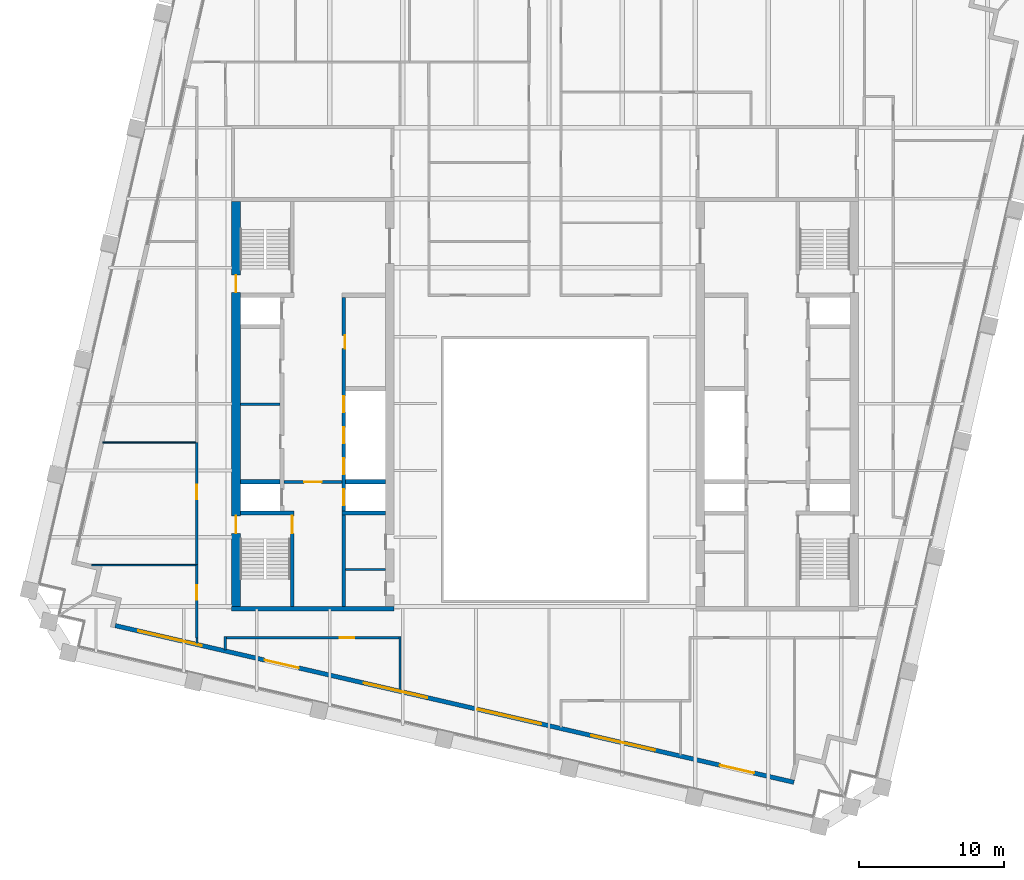
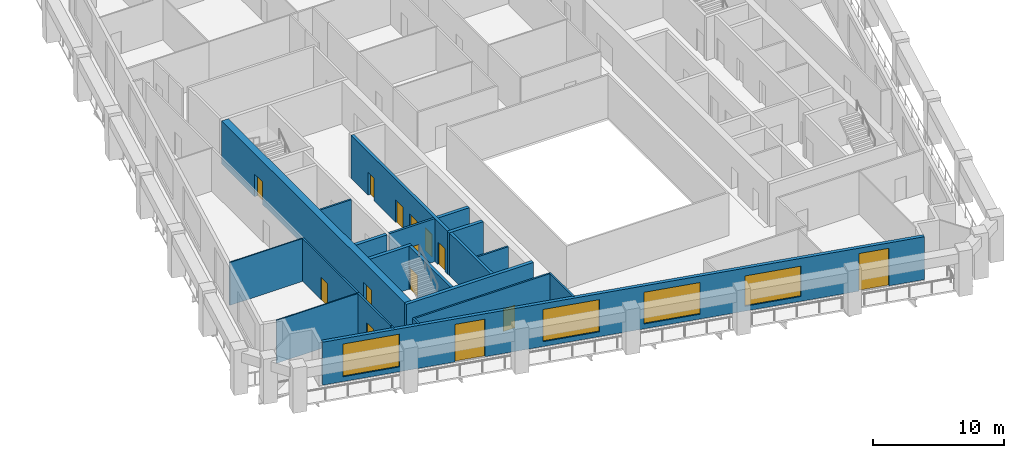
# One storey, part 4 of 10: 20 walls, 14 doors, 4 windows, 18 openings.
"""IFC4 building model written with IfcOpenShell, lengths in metres."""

from ifc_helpers import new_model, si_unit, direction, frame, frame_2d, origin, place, context, subcontext, project, spatial, rectangle, extrude, material, layer, layer_set, type_object, element, fill, save


model = new_model("IFC4")

# Units and contexts
model_context = context("Model", 3, precision=1e-05, world=origin(), true_north=direction((0.0, 1.0)))
body_context = subcontext(model_context, "Body", "Model", "MODEL_VIEW")
ifc_project = project(units=[si_unit("LENGTHUNIT", "METRE"), si_unit("AREAUNIT", "SQUARE_METRE"), si_unit("VOLUMEUNIT", "CUBIC_METRE"), si_unit("PLANEANGLEUNIT", "RADIAN"), si_unit("MASSUNIT", "GRAM", prefix="KILO")], contexts=[model_context])

# Site, building, storey
site_placement = place(None, origin())
site = spatial("IfcSite", under=ifc_project, at=site_placement, CompositionType="ELEMENT")
building_placement = place(site_placement, origin())
building = spatial("IfcBuilding", under=site, at=building_placement, Name="Ogive Exchange Tower", CompositionType="ELEMENT")
storey_placement = place(building_placement, frame((0.0, 0.0, 264.0)))
storey = spatial("IfcBuildingStorey", under=building, at=storey_placement, Name="L57", CompositionType="ELEMENT", Elevation=264.0)

# Walls
ifc_material_1 = material(Name="Gypsum board partition")
ifc_layer_1 = layer(ifc_material_1, 0.14990234375)
ifc_layer_set_1 = layer_set([ifc_layer_1], Name="Core room partition 150 gypsum")
wall_type_1 = type_object("IfcWallType", Name="Core room partition 150 gypsum", PredefinedType="PARTITIONING", material=ifc_layer_set_1)
for number, where, z_axis, x_axis, name in (
    (1, (-21.0, 11.5, 0.0), (0.0, 0.0, 1.0), (1.0, 0.0, 0.0), "W row A bay partition 1-1"),
    (2, (-13.75, 0.10009765625, 0.0), (0.0, 0.0, 1.0), (1.0, 0.0, 0.0), "W south room partition"),
):
    element("IfcWall", number, at=place(storey_placement, frame(where, z_axis=z_axis, x_axis=x_axis)), inside=storey, type_object=wall_type_1, Name=name, PredefinedType="PARTITIONING", context=body_context, shape_type="SweptSolid", body=[
        extrude(rectangle(XDim=2.75, YDim=0.14990234375, at=frame_2d((1.375, 0.0))), origin(), (0.0, 0.0, 1.0), 4.0),
    ])

# Wall, opening, door
ifc_material_2 = material(Name="Fire partition EI 60 150")
ifc_layer_2 = layer(ifc_material_2, 0.14990234375)
ifc_layer_set_2 = layer_set([ifc_layer_2], Name="Fire partition EI 60 150")
wall_type_2 = type_object("IfcWallType", Name="Fire partition EI 60 150", PredefinedType="PARTITIONING", material=ifc_layer_set_2)
wall_1_placement = place(storey_placement, frame((-24.0, -4.60009765625, 0.0), z_axis=(0.0, 0.0, 1.0), x_axis=(0.0, 1.0, 0.0)))
wall_1 = element("IfcWall", 3, at=wall_1_placement, inside=storey, type_object=wall_type_2, Name="L57-PWL-003", PredefinedType="PARTITIONING", context=body_context, shape_type="SweptSolid", body=[
    extrude(rectangle(XDim=5.06005859375, YDim=0.14990234375, at=frame_2d((2.530029296875, 0.0))), origin(), (0.0, 0.0, 1.0), 4.0),
])
opening_1_placement = place(wall_1_placement, frame((2.610107421875, 0.0, 0.0)))
opening_1 = element("IfcOpeningElement", 4, at=opening_1_placement, cuts=wall_1, Name="Opening L57-I15", PredefinedType="OPENING", context=body_context, shape_type="SweptSolid", body=[
    extrude(rectangle(XDim=1.0, YDim=2.10009765625, at=frame_2d((0.5, 1.050048828125))), frame((0.0, 0.0849609375, 0.0), z_axis=(0.0, -1.0, 0.0), x_axis=(1.0, 0.0, 0.0)), (0.0, 0.0, 1.0), 0.169921875),
])
ifc_material_3 = material(Name="Fire door FD 30S 1000 x 2100")
door_type_1 = type_object("IfcDoorType", Name="Fire door FD 30S 1000 x 2100", OperationType="NOTDEFINED", PredefinedType="DOOR", material=ifc_material_3)
door_1_placement = place(opening_1_placement, origin())
door_1 = element("IfcDoor", 5, at=door_1_placement, inside=storey, type_object=door_type_1, Name="L57-IDR-015", ObjectType="DT3", OperationType="SINGLE_SWING_LEFT", OverallHeight=2.10009765625, OverallWidth=1.0, PredefinedType="DOOR", context=body_context, shape_type="SweptSolid", body=[
    extrude(rectangle(XDim=1.0, YDim=2.10009765625, at=frame_2d((0.5, 1.050048828125))), frame((0.0, 0.02490234375, 0.0), z_axis=(0.0, -1.0, 0.0), x_axis=(1.0, 0.0, 0.0)), (0.0, 0.0, 1.0), 0.050048828125),
])
fill(opening_1, door_1)

wall_2_placement = place(storey_placement, frame((-24.0, 0.409912109375, 0.0), z_axis=(0.0, 0.0, 1.0), x_axis=(0.0, 1.0, 0.0)))
wall_2 = element("IfcWall", 6, at=wall_2_placement, inside=storey, type_object=wall_type_2, Name="L57-PWL-005", PredefinedType="PARTITIONING", context=body_context, shape_type="SweptSolid", body=[
    extrude(rectangle(XDim=8.4501953125, YDim=0.14990234375, at=frame_2d((4.22509765625, 0.0))), origin(), (0.0, 0.0, 1.0), 4.0),
])
opening_2_placement = place(wall_2_placement, frame((4.550048828125, 0.0, 0.0)))
opening_2 = element("IfcOpeningElement", 7, at=opening_2_placement, cuts=wall_2, Name="Opening L57-I14", PredefinedType="OPENING", context=body_context, shape_type="SweptSolid", body=[
    extrude(rectangle(XDim=1.0, YDim=2.10009765625, at=frame_2d((0.5, 1.050048828125))), frame((0.0, 0.0849609375, 0.0), z_axis=(0.0, -1.0, 0.0), x_axis=(1.0, 0.0, 0.0)), (0.0, 0.0, 1.0), 0.169921875),
])
door_2_placement = place(opening_2_placement, origin())
door_2 = element("IfcDoor", 8, at=door_2_placement, inside=storey, type_object=door_type_1, Name="L57-IDR-014", ObjectType="DT3", OperationType="SINGLE_SWING_LEFT", OverallHeight=2.10009765625, OverallWidth=1.0, PredefinedType="DOOR", context=body_context, shape_type="SweptSolid", body=[
    extrude(rectangle(XDim=1.0, YDim=2.10009765625, at=frame_2d((0.5, 1.050048828125))), frame((0.0, 0.02490234375, 0.0), z_axis=(0.0, -1.0, 0.0), x_axis=(1.0, 0.0, 0.0)), (0.0, 0.0, 1.0), 0.050048828125),
])
fill(opening_2, door_2)

# Walls
wall_3_placement = place(storey_placement, frame((-23.989990234375, -4.986083984375, 0.0), z_axis=(0.0, 0.0, 1.0), x_axis=(0.0, 1.0, 0.0)))
element("IfcWall", 9, at=wall_3_placement, inside=storey, type_object=wall_type_2, Name="L57-PWL-009", PredefinedType="PARTITIONING", context=body_context, shape_type="SweptSolid", body=[
    extrude(rectangle(XDim=0.385986328125, YDim=0.14990234375, at=frame_2d((0.19287109375, 0.0))), origin(), (0.0, 0.0, 1.0), 4.0),
])
wall_4_placement = place(storey_placement, frame((-22.030029296875, -4.52490234375, 0.0), z_axis=(0.0, 0.0, 1.0), x_axis=(0.0, -1.0, 0.0)))
element("IfcWall", 10, at=wall_4_placement, inside=storey, type_object=wall_type_2, Name="L57-PWL-013", PredefinedType="PARTITIONING", context=body_context, shape_type="SweptSolid", body=[
    extrude(rectangle(XDim=0.9130859375, YDim=0.14990234375, at=frame_2d((0.45654296875, 0.0))), origin(), (0.0, 0.0, 1.0), 4.0),
])
wall_5_placement = place(storey_placement, frame((-10.0, -8.216064453125, 0.0), z_axis=(0.0, 0.0, 1.0), x_axis=(0.0, 1.0, 0.0)))
element("IfcWall", 11, at=wall_5_placement, inside=storey, type_object=wall_type_2, Name="L57-PWL-022", PredefinedType="PARTITIONING", context=body_context, shape_type="SweptSolid", body=[
    extrude(rectangle(XDim=3.691162109375, YDim=0.14990234375, at=frame_2d((1.845703125, 0.0))), origin(), (0.0, 0.0, 1.0), 4.0),
])

# Wall, opening, door
wall_6_placement = place(storey_placement, frame((-10.074951171875, -4.60009765625, 0.0), z_axis=(0.0, 0.0, 1.0), x_axis=(-1.0, 0.0, 0.0)))
wall_6 = element("IfcWall", 12, at=wall_6_placement, inside=storey, type_object=wall_type_2, Name="L57-PWL-023", PredefinedType="PARTITIONING", context=body_context, shape_type="SweptSolid", body=[
    extrude(rectangle(XDim=11.880126953125, YDim=0.14990234375, at=frame_2d((5.93994140625, 0.0))), origin(), (0.0, 0.0, 1.0), 4.0),
])
opening_3_placement = place(wall_6_placement, frame((3.054931640625, 0.0, 0.0)))
opening_3 = element("IfcOpeningElement", 13, at=opening_3_placement, cuts=wall_6, Name="Opening L57-I13", PredefinedType="OPENING", context=body_context, shape_type="SweptSolid", body=[
    extrude(rectangle(XDim=1.0, YDim=2.10009765625, at=frame_2d((0.5, 1.050048828125))), frame((0.0, 0.0849609375, 0.0), z_axis=(0.0, -1.0, 0.0), x_axis=(1.0, 0.0, 0.0)), (0.0, 0.0, 1.0), 0.169921875),
])
door_3_placement = place(opening_3_placement, origin())
door_3 = element("IfcDoor", 14, at=door_3_placement, inside=storey, type_object=door_type_1, Name="L57-IDR-013", ObjectType="DT3", OperationType="SINGLE_SWING_RIGHT", OverallHeight=2.10009765625, OverallWidth=1.0, PredefinedType="DOOR", context=body_context, shape_type="SweptSolid", body=[
    extrude(rectangle(XDim=1.0, YDim=2.10009765625, at=frame_2d((0.5, 1.050048828125))), frame((0.0, 0.02490234375, 0.0), z_axis=(0.0, -1.0, 0.0), x_axis=(1.0, 0.0, 0.0)), (0.0, 0.0, 1.0), 0.050048828125),
])
fill(opening_3, door_3)

# Wall, openings, doors, windows
ifc_material_4 = material(Name="Precast concrete C40/50", Category="concrete")
ifc_layer_3 = layer(ifc_material_4, 0.300048828125)
ifc_layer_set_3 = layer_set([ifc_layer_3], Name="Limestone-faced wall 300")
wall_type_3 = type_object("IfcWallType", Name="Limestone-faced wall 300", PredefinedType="STANDARD", material=ifc_layer_set_3)
wall_7_placement = place(storey_placement, frame((-29.6162109375, -3.75830078125, 0.0), z_axis=(0.0, 0.0, 1.0), x_axis=(0.974370532314, -0.224949029246, 0.0)))
wall_7 = element("IfcWall", 15, at=wall_7_placement, inside=storey, type_object=wall_type_3, Name="External wall S1", PredefinedType="STANDARD", context=body_context, shape_type="SweptSolid", body=[
    extrude(rectangle(XDim=48.000244140625, YDim=0.300048828125, at=frame_2d((24.0, 0.0))), origin(), (0.0, 0.0, 1.0), 4.0),
])
opening_4_placement = place(wall_7_placement, frame((1.625, 0.0, 0.449951171875)))
opening_4 = element("IfcOpeningElement", 16, at=opening_4_placement, cuts=wall_7, Name="Opening W1", PredefinedType="OPENING", context=body_context, shape_type="SweptSolid", body=[
    extrude(rectangle(XDim=4.5, YDim=3.050048828125, at=frame_2d((2.25, 1.52490234375))), frame((0.0, 0.159912109375, 0.0), z_axis=(0.0, -1.0, 0.0), x_axis=(1.0, 0.0, 0.0)), (0.0, 0.0, 1.0), 0.320068359375),
])
opening_5_placement = place(wall_7_placement, frame((10.574951171875, 0.0, 0.0)))
opening_5 = element("IfcOpeningElement", 17, at=opening_5_placement, cuts=wall_7, Name="Opening D1", PredefinedType="OPENING", context=body_context, shape_type="SweptSolid", body=[
    extrude(rectangle(XDim=2.39990234375, YDim=3.5, at=frame_2d((1.199951171875, 1.75))), frame((0.0, 0.159912109375, 0.0), z_axis=(0.0, -1.0, 0.0), x_axis=(1.0, 0.0, 0.0)), (0.0, 0.0, 1.0), 0.320068359375),
])
opening_6_placement = place(wall_7_placement, frame((17.574951171875, 0.0, 0.449951171875)))
opening_6 = element("IfcOpeningElement", 18, at=opening_6_placement, cuts=wall_7, Name="Opening W1A", PredefinedType="OPENING", context=body_context, shape_type="SweptSolid", body=[
    extrude(rectangle(XDim=4.5, YDim=3.0, at=frame_2d((2.25, 1.5))), frame((0.0, 0.159912109375, 0.0), z_axis=(0.0, -1.0, 0.0), x_axis=(1.0, 0.0, 0.0)), (0.0, 0.0, 1.0), 0.320068359375),
])
opening_7_placement = place(wall_7_placement, frame((25.625, 0.0, 0.449951171875)))
opening_7 = element("IfcOpeningElement", 19, at=opening_7_placement, cuts=wall_7, Name="Opening W1B", PredefinedType="OPENING", context=body_context, shape_type="SweptSolid", body=[
    extrude(rectangle(XDim=4.5, YDim=2.949951171875, at=frame_2d((2.25, 1.47509765625))), frame((0.0, 0.159912109375, 0.0), z_axis=(0.0, -1.0, 0.0), x_axis=(1.0, 0.0, 0.0)), (0.0, 0.0, 1.0), 0.320068359375),
])
opening_8_placement = place(wall_7_placement, frame((33.675048828125, 0.0, 0.449951171875)))
opening_8 = element("IfcOpeningElement", 20, at=opening_8_placement, cuts=wall_7, Name="Opening W1E", PredefinedType="OPENING", context=body_context, shape_type="SweptSolid", body=[
    extrude(rectangle(XDim=4.5, YDim=2.824951171875, at=frame_2d((2.25, 1.41259765625))), frame((0.0, 0.159912109375, 0.0), z_axis=(0.0, -1.0, 0.0), x_axis=(1.0, 0.0, 0.0)), (0.0, 0.0, 1.0), 0.320068359375),
])
opening_9_placement = place(wall_7_placement, frame((42.77490234375, 0.0, 0.0)))
opening_9 = element("IfcOpeningElement", 21, at=opening_9_placement, cuts=wall_7, Name="Opening D1", PredefinedType="OPENING", context=body_context, shape_type="SweptSolid", body=[
    extrude(rectangle(XDim=2.39990234375, YDim=3.5, at=frame_2d((1.199951171875, 1.75))), frame((0.0, 0.159912109375, 0.0), z_axis=(0.0, -1.0, 0.0), x_axis=(1.0, 0.0, 0.0)), (0.0, 0.0, 1.0), 0.320068359375),
])
ifc_material_5 = material(Name="Clear glass in bronze frame", Category="glass")
door_type_2 = type_object("IfcDoorType", Name="Sliding loggia door 2400 x 3500", OperationType="DOUBLE_DOOR_SLIDING", PredefinedType="DOOR", material=ifc_material_5)
door_4_placement = place(opening_5_placement, origin())
door_4 = element("IfcDoor", 22, at=door_4_placement, inside=storey, type_object=door_type_2, Name="Loggia door S01", OperationType="DOUBLE_DOOR_SLIDING", OverallHeight=3.5, OverallWidth=2.39990234375, PredefinedType="DOOR", context=body_context, shape_type="SweptSolid", body=[
    extrude(rectangle(XDim=2.39990234375, YDim=3.5, at=frame_2d((1.199951171875, 1.75))), frame((0.0, 0.02490234375, 0.0), z_axis=(0.0, -1.0, 0.0), x_axis=(1.0, 0.0, 0.0)), (0.0, 0.0, 1.0), 0.050048828125),
])
fill(opening_5, door_4)
door_5_placement = place(opening_9_placement, origin())
door_5 = element("IfcDoor", 23, at=door_5_placement, inside=storey, type_object=door_type_2, Name="Loggia door S05", OperationType="DOUBLE_DOOR_SLIDING", OverallHeight=3.5, OverallWidth=2.39990234375, PredefinedType="DOOR", context=body_context, shape_type="SweptSolid", body=[
    extrude(rectangle(XDim=2.39990234375, YDim=3.5, at=frame_2d((1.199951171875, 1.75))), frame((0.0, 0.02490234375, 0.0), z_axis=(0.0, -1.0, 0.0), x_axis=(1.0, 0.0, 0.0)), (0.0, 0.0, 1.0), 0.050048828125),
])
fill(opening_9, door_5)
window_type_1 = type_object("IfcWindowType", Name="Twin lancet window 4500 x 2825", PartitioningType="DOUBLE_PANEL_VERTICAL", PredefinedType="WINDOW", material=ifc_material_5)
window_1_placement = place(opening_8_placement, origin())
window_1 = element("IfcWindow", 24, at=window_1_placement, inside=storey, type_object=window_type_1, Name="Window S04", OverallHeight=2.824951171875, OverallWidth=4.5, PartitioningType="DOUBLE_PANEL_VERTICAL", PredefinedType="WINDOW", context=body_context, shape_type="SweptSolid", body=[
    extrude(rectangle(XDim=4.5, YDim=2.824951171875, at=frame_2d((2.25, 1.41259765625))), frame((0.0, 0.030029296875, 0.0), z_axis=(0.0, -1.0, 0.0), x_axis=(1.0, 0.0, 0.0)), (0.0, 0.0, 1.0), 0.06005859375),
])
fill(opening_8, window_1)
window_type_2 = type_object("IfcWindowType", Name="Twin lancet window 4500 x 2950", PartitioningType="DOUBLE_PANEL_VERTICAL", PredefinedType="WINDOW", material=ifc_material_5)
window_2_placement = place(opening_7_placement, origin())
window_2 = element("IfcWindow", 25, at=window_2_placement, inside=storey, type_object=window_type_2, Name="Window S03", OverallHeight=2.949951171875, OverallWidth=4.5, PartitioningType="DOUBLE_PANEL_VERTICAL", PredefinedType="WINDOW", context=body_context, shape_type="SweptSolid", body=[
    extrude(rectangle(XDim=4.5, YDim=2.949951171875, at=frame_2d((2.25, 1.47509765625))), frame((0.0, 0.030029296875, 0.0), z_axis=(0.0, -1.0, 0.0), x_axis=(1.0, 0.0, 0.0)), (0.0, 0.0, 1.0), 0.06005859375),
])
fill(opening_7, window_2)
window_type_3 = type_object("IfcWindowType", Name="Twin lancet window 4500 x 3000", PartitioningType="DOUBLE_PANEL_VERTICAL", PredefinedType="WINDOW", material=ifc_material_5)
window_3_placement = place(opening_6_placement, origin())
window_3 = element("IfcWindow", 26, at=window_3_placement, inside=storey, type_object=window_type_3, Name="Window S02", OverallHeight=3.0, OverallWidth=4.5, PartitioningType="DOUBLE_PANEL_VERTICAL", PredefinedType="WINDOW", context=body_context, shape_type="SweptSolid", body=[
    extrude(rectangle(XDim=4.5, YDim=3.0, at=frame_2d((2.25, 1.5))), frame((0.0, 0.030029296875, 0.0), z_axis=(0.0, -1.0, 0.0), x_axis=(1.0, 0.0, 0.0)), (0.0, 0.0, 1.0), 0.06005859375),
])
fill(opening_6, window_3)
window_type_4 = type_object("IfcWindowType", Name="Twin lancet window 4500 x 3050", PartitioningType="DOUBLE_PANEL_VERTICAL", PredefinedType="WINDOW", material=ifc_material_5)
window_4_placement = place(opening_4_placement, origin())
window_4 = element("IfcWindow", 27, at=window_4_placement, inside=storey, type_object=window_type_4, Name="Window S00", OverallHeight=3.050048828125, OverallWidth=4.5, PartitioningType="DOUBLE_PANEL_VERTICAL", PredefinedType="WINDOW", context=body_context, shape_type="SweptSolid", body=[
    extrude(rectangle(XDim=4.5, YDim=3.050048828125, at=frame_2d((2.25, 1.52490234375))), frame((0.0, 0.030029296875, 0.0), z_axis=(0.0, -1.0, 0.0), x_axis=(1.0, 0.0, 0.0)), (0.0, 0.0, 1.0), 0.06005859375),
])
fill(opening_4, window_4)

# Walls
ifc_material_6 = material(Name="Partition 100 gypsum")
ifc_layer_4 = layer(ifc_material_6, 0.10009765625)
ifc_layer_set_4 = layer_set([ifc_layer_4], Name="Partition 100 gypsum")
wall_type_4 = type_object("IfcWallType", Name="Partition 100 gypsum", PredefinedType="PARTITIONING", material=ifc_layer_set_4)
wall_8_placement = place(storey_placement, frame((-24.074951171875, 0.409912109375, 0.0), z_axis=(0.0, 0.0, 1.0), x_axis=(-1.0, 0.0, 0.0)))
element("IfcWall", 28, at=wall_8_placement, inside=storey, type_object=wall_type_4, Name="L57-PWL-004", PredefinedType="PARTITIONING", context=body_context, shape_type="SweptSolid", body=[
    extrude(rectangle(XDim=7.170166015625, YDim=0.10009765625, at=frame_2d((3.5849609375, 0.0))), origin(), (0.0, 0.0, 1.0), 4.0),
])
wall_9_placement = place(storey_placement, frame((-24.074951171875, 8.860107421875, 0.0), z_axis=(0.0, 0.0, 1.0), x_axis=(-1.0, 0.0, 0.0)))
element("IfcWall", 29, at=wall_9_placement, inside=storey, type_object=wall_type_4, Name="L57-PWL-006", PredefinedType="PARTITIONING", context=body_context, shape_type="SweptSolid", body=[
    extrude(rectangle(XDim=6.405029296875, YDim=0.10009765625, at=frame_2d((3.20263671875, 0.0))), origin(), (0.0, 0.0, 1.0), 4.0),
])

# Wall, opening, door
ifc_material_7 = material(Name="Concrete C70/85", Category="concrete")
ifc_layer_5 = layer(ifc_material_7, 0.199951171875)
ifc_layer_set_5 = layer_set([ifc_layer_5], Name="RC core wall 200 C70/85")
wall_type_5 = type_object("IfcWallType", Name="RC core wall 200 C70/85", PredefinedType="SHEAR", material=ifc_layer_set_5)
wall_10_placement = place(storey_placement, frame((-18.0, 6.142822265625, 0.0), z_axis=(0.0, 0.0, 1.0), x_axis=(1.0, 0.0, 0.0)))
wall_10 = element("IfcWall", 30, at=wall_10_placement, inside=storey, type_object=wall_type_5, Name="W firefighting lobby wall", PredefinedType="SHEAR", context=body_context, shape_type="SweptSolid", body=[
    extrude(rectangle(XDim=4.0, YDim=0.199951171875, at=frame_2d((2.0, 0.0))), origin(), (0.0, 0.0, 1.0), 4.0),
])
opening_10_placement = place(wall_10_placement, frame((1.39990234375, 0.0, 0.0)))
opening_10 = element("IfcOpeningElement", 31, at=opening_10_placement, cuts=wall_10, Name="Opening L57-C10", PredefinedType="OPENING", context=body_context, shape_type="SweptSolid", body=[
    extrude(rectangle(XDim=1.199951171875, YDim=2.10009765625, at=frame_2d((0.60009765625, 1.050048828125))), frame((0.0, 0.10986328125, 0.0), z_axis=(0.0, -1.0, 0.0), x_axis=(1.0, 0.0, 0.0)), (0.0, 0.0, 1.0), 0.219970703125),
])
ifc_material_8 = material(Name="Steel fire door", Category="steel")
door_type_3 = type_object("IfcDoorType", Name="Firefighting lobby door FD60 1200 x 2100", OperationType="NOTDEFINED", PredefinedType="DOOR", material=ifc_material_8)
door_6_placement = place(opening_10_placement, frame((1.199951171875, 0.0, 0.0), z_axis=(0.0, 0.0, 1.0), x_axis=(-1.0, 0.0, 0.0)))
door_6 = element("IfcDoor", 32, at=door_6_placement, inside=storey, type_object=door_type_3, Name="Firefighting lobby door", ObjectType="CD3", OperationType="SINGLE_SWING_RIGHT", OverallHeight=2.10009765625, OverallWidth=1.199951171875, PredefinedType="DOOR", context=body_context, shape_type="SweptSolid", body=[
    extrude(rectangle(XDim=1.199951171875, YDim=2.10009765625, at=frame_2d((0.60009765625, 1.050048828125))), frame((0.0, 0.02490234375, 0.0), z_axis=(0.0, -1.0, 0.0), x_axis=(1.0, 0.0, 0.0)), (0.0, 0.0, 1.0), 0.050048828125),
])
fill(opening_10, door_6)

ifc_layer_6 = layer(ifc_material_7, 0.25)
ifc_layer_set_6 = layer_set([ifc_layer_6], Name="RC core wall 250 C70/85")
wall_type_6 = type_object("IfcWallType", Name="RC core wall 250 C70/85", PredefinedType="SHEAR", material=ifc_layer_set_6)
wall_11_placement = place(storey_placement, frame((-17.425048828125, -2.449951171875, 0.0), z_axis=(0.0, 0.0, 1.0), x_axis=(0.0, 1.0, 0.0)))
wall_11 = element("IfcWall", 33, at=wall_11_placement, inside=storey, type_object=wall_type_6, Name="W stair S front wall", PredefinedType="SHEAR", context=body_context, shape_type="SweptSolid", body=[
    extrude(rectangle(XDim=6.300048828125, YDim=0.25, at=frame_2d((3.14990234375, 0.0))), origin(), (0.0, 0.0, 1.0), 4.0),
])
opening_11_placement = place(wall_11_placement, frame((5.050048828125, 0.0, 0.0)))
opening_11 = element("IfcOpeningElement", 34, at=opening_11_placement, cuts=wall_11, Name="Opening L57-C12", PredefinedType="OPENING", context=body_context, shape_type="SweptSolid", body=[
    extrude(rectangle(XDim=1.199951171875, YDim=2.10009765625, at=frame_2d((0.60009765625, 1.050048828125))), frame((0.0, 0.135009765625, 0.0), z_axis=(0.0, -1.0, 0.0), x_axis=(1.0, 0.0, 0.0)), (0.0, 0.0, 1.0), 0.27001953125),
])
door_type_4 = type_object("IfcDoorType", Name="Stair door FD90 1200 x 2100", OperationType="NOTDEFINED", PredefinedType="DOOR", material=ifc_material_8)
door_7_placement = place(opening_11_placement, origin())
door_7 = element("IfcDoor", 35, at=door_7_placement, inside=storey, type_object=door_type_4, Name="Stair door", ObjectType="CD5", OperationType="SINGLE_SWING_LEFT", OverallHeight=2.10009765625, OverallWidth=1.199951171875, PredefinedType="DOOR", context=body_context, shape_type="SweptSolid", body=[
    extrude(rectangle(XDim=1.199951171875, YDim=2.10009765625, at=frame_2d((0.60009765625, 1.050048828125))), frame((0.0, 0.02490234375, 0.0), z_axis=(0.0, -1.0, 0.0), x_axis=(1.0, 0.0, 0.0)), (0.0, 0.0, 1.0), 0.050048828125),
])
fill(opening_11, door_7)

# Wall, openings, doors
wall_12_placement = place(storey_placement, frame((-13.875, -2.449951171875, 0.0), z_axis=(0.0, 0.0, 1.0), x_axis=(0.0, 1.0, 0.0)))
wall_12 = element("IfcWall", 36, at=wall_12_placement, inside=storey, type_object=wall_type_6, Name="W row B front wall", PredefinedType="SHEAR", context=body_context, shape_type="SweptSolid", body=[
    extrude(rectangle(XDim=21.300048828125, YDim=0.25, at=frame_2d((10.64990234375, 0.0))), origin(), (0.0, 0.0, 1.0), 4.0),
])
opening_12_placement = place(wall_12_placement, frame((17.78564453125, 0.0, 0.0)))
opening_12 = element("IfcOpeningElement", 37, at=opening_12_placement, cuts=wall_12, Name="Opening L57-C05", PredefinedType="OPENING", context=body_context, shape_type="SweptSolid", body=[
    extrude(rectangle(XDim=0.89990234375, YDim=2.10009765625, at=frame_2d((0.449951171875, 1.050048828125))), frame((0.0, 0.135009765625, 0.0), z_axis=(0.0, -1.0, 0.0), x_axis=(1.0, 0.0, 0.0)), (0.0, 0.0, 1.0), 0.27001953125),
])
opening_13_placement = place(wall_12_placement, frame((6.971435546875, 0.0, 0.0)))
opening_13 = element("IfcOpeningElement", 38, at=opening_13_placement, cuts=wall_12, Name="Opening L57-C06", PredefinedType="OPENING", context=body_context, shape_type="SweptSolid", body=[
    extrude(rectangle(XDim=1.10009765625, YDim=2.10009765625, at=frame_2d((0.550048828125, 1.050048828125))), frame((0.0, 0.135009765625, 0.0), z_axis=(0.0, -1.0, 0.0), x_axis=(1.0, 0.0, 0.0)), (0.0, 0.0, 1.0), 0.27001953125),
])
opening_14_placement = place(wall_12_placement, frame((9.1142578125, 0.0, 0.0)))
opening_14 = element("IfcOpeningElement", 39, at=opening_14_placement, cuts=wall_12, Name="Opening L57-C07", PredefinedType="OPENING", context=body_context, shape_type="SweptSolid", body=[
    extrude(rectangle(XDim=1.10009765625, YDim=2.10009765625, at=frame_2d((0.550048828125, 1.050048828125))), frame((0.0, 0.135009765625, 0.0), z_axis=(0.0, -1.0, 0.0), x_axis=(1.0, 0.0, 0.0)), (0.0, 0.0, 1.0), 0.27001953125),
])
opening_15_placement = place(wall_12_placement, frame((11.257080078125, 0.0, 0.0)))
opening_15 = element("IfcOpeningElement", 40, at=opening_15_placement, cuts=wall_12, Name="Opening L57-C08", PredefinedType="OPENING", context=body_context, shape_type="SweptSolid", body=[
    extrude(rectangle(XDim=1.10009765625, YDim=2.10009765625, at=frame_2d((0.550048828125, 1.050048828125))), frame((0.0, 0.135009765625, 0.0), z_axis=(0.0, -1.0, 0.0), x_axis=(1.0, 0.0, 0.0)), (0.0, 0.0, 1.0), 0.27001953125),
])
opening_16_placement = place(wall_12_placement, frame((13.39990234375, 0.0, 0.0)))
opening_16 = element("IfcOpeningElement", 41, at=opening_16_placement, cuts=wall_12, Name="Opening L57-C09", PredefinedType="OPENING", context=body_context, shape_type="SweptSolid", body=[
    extrude(rectangle(XDim=1.10009765625, YDim=2.10009765625, at=frame_2d((0.550048828125, 1.050048828125))), frame((0.0, 0.135009765625, 0.0), z_axis=(0.0, -1.0, 0.0), x_axis=(1.0, 0.0, 0.0)), (0.0, 0.0, 1.0), 0.27001953125),
])
ifc_material_9 = material(Name="Stainless steel", Category="steel")
door_type_5 = type_object("IfcDoorType", Name="Lift landing door FD90 1100 x 2100", OperationType="SLIDING_TO_LEFT", PredefinedType="DOOR", material=ifc_material_9)
door_8_placement = place(opening_13_placement, origin())
door_8 = element("IfcDoor", 42, at=door_8_placement, inside=storey, type_object=door_type_5, Name="Lift landing door SV1", ObjectType="LD", OperationType="SLIDING_TO_LEFT", OverallHeight=2.10009765625, OverallWidth=1.10009765625, PredefinedType="DOOR", context=body_context, shape_type="SweptSolid", body=[
    extrude(rectangle(XDim=1.10009765625, YDim=2.10009765625, at=frame_2d((0.550048828125, 1.050048828125))), frame((0.0, 0.02490234375, 0.0), z_axis=(0.0, -1.0, 0.0), x_axis=(1.0, 0.0, 0.0)), (0.0, 0.0, 1.0), 0.050048828125),
])
fill(opening_13, door_8)
door_9_placement = place(opening_14_placement, origin())
door_9 = element("IfcDoor", 43, at=door_9_placement, inside=storey, type_object=door_type_5, Name="Lift landing door W-M1", ObjectType="LD", OperationType="SLIDING_TO_LEFT", OverallHeight=2.10009765625, OverallWidth=1.10009765625, PredefinedType="DOOR", context=body_context, shape_type="SweptSolid", body=[
    extrude(rectangle(XDim=1.10009765625, YDim=2.10009765625, at=frame_2d((0.550048828125, 1.050048828125))), frame((0.0, 0.02490234375, 0.0), z_axis=(0.0, -1.0, 0.0), x_axis=(1.0, 0.0, 0.0)), (0.0, 0.0, 1.0), 0.050048828125),
])
fill(opening_14, door_9)
door_10_placement = place(opening_15_placement, origin())
door_10 = element("IfcDoor", 44, at=door_10_placement, inside=storey, type_object=door_type_5, Name="Lift landing door W-M2", ObjectType="LD", OperationType="SLIDING_TO_LEFT", OverallHeight=2.10009765625, OverallWidth=1.10009765625, PredefinedType="DOOR", context=body_context, shape_type="SweptSolid", body=[
    extrude(rectangle(XDim=1.10009765625, YDim=2.10009765625, at=frame_2d((0.550048828125, 1.050048828125))), frame((0.0, 0.02490234375, 0.0), z_axis=(0.0, -1.0, 0.0), x_axis=(1.0, 0.0, 0.0)), (0.0, 0.0, 1.0), 0.050048828125),
])
fill(opening_15, door_10)
door_11_placement = place(opening_16_placement, origin())
door_11 = element("IfcDoor", 45, at=door_11_placement, inside=storey, type_object=door_type_5, Name="Lift landing door W-M3", ObjectType="LD", OperationType="SLIDING_TO_LEFT", OverallHeight=2.10009765625, OverallWidth=1.10009765625, PredefinedType="DOOR", context=body_context, shape_type="SweptSolid", body=[
    extrude(rectangle(XDim=1.10009765625, YDim=2.10009765625, at=frame_2d((0.550048828125, 1.050048828125))), frame((0.0, 0.02490234375, 0.0), z_axis=(0.0, -1.0, 0.0), x_axis=(1.0, 0.0, 0.0)), (0.0, 0.0, 1.0), 0.050048828125),
])
fill(opening_16, door_11)
door_type_6 = type_object("IfcDoorType", Name="Riser door FD60 900 x 2100", OperationType="NOTDEFINED", PredefinedType="DOOR", material=ifc_material_8)
door_12_placement = place(opening_12_placement, frame((0.89990234375, -0.2001953125, 0.0), z_axis=(0.0, 0.0, 1.0), x_axis=(-1.0, 0.0, 0.0)))
door_12 = element("IfcDoor", 46, at=door_12_placement, inside=storey, type_object=door_type_6, Name="Riser door", ObjectType="CD2", OperationType="SINGLE_SWING_RIGHT", OverallHeight=2.10009765625, OverallWidth=0.89990234375, PredefinedType="DOOR", context=body_context, shape_type="SweptSolid", body=[
    extrude(rectangle(XDim=0.89990234375, YDim=2.10009765625, at=frame_2d((0.449951171875, 1.050048828125))), frame((0.0, -0.0751953125, 0.0), z_axis=(0.0, -1.0, 0.0), x_axis=(1.0, 0.0, 0.0)), (0.0, 0.0, 1.0), 0.050048828125),
])
fill(opening_12, door_12)

# Walls
ifc_layer_7 = layer(ifc_material_7, 0.300048828125)
ifc_layer_set_7 = layer_set([ifc_layer_7], Name="RC core wall 300 C70/85")
wall_type_7 = type_object("IfcWallType", Name="RC core wall 300 C70/85", PredefinedType="SHEAR", material=ifc_layer_set_7)
wall_13_placement = place(storey_placement, frame((-21.60009765625, -2.60009765625, 0.0), z_axis=(0.0, 0.0, 1.0), x_axis=(1.0, 0.0, 0.0)))
element("IfcWall", 47, at=wall_13_placement, inside=storey, type_object=wall_type_7, Name="W south end wall", PredefinedType="SHEAR", context=body_context, shape_type="SweptSolid", body=[
    extrude(rectangle(XDim=11.2001953125, YDim=0.300048828125, at=frame_2d((5.60009765625, 0.0))), origin(), (0.0, 0.0, 1.0), 4.0),
])
wall_14_placement = place(storey_placement, frame((-21.0, 4.0, 0.0), z_axis=(0.0, 0.0, 1.0), x_axis=(1.0, 0.0, 0.0)))
element("IfcWall", 48, at=wall_14_placement, inside=storey, type_object=wall_type_7, Name="W stair S north wall", PredefinedType="SHEAR", context=body_context, shape_type="SweptSolid", body=[
    extrude(rectangle(XDim=3.699951171875, YDim=0.300048828125, at=frame_2d((1.85009765625, 0.0))), origin(), (0.0, 0.0, 1.0), 4.0),
])
wall_15_placement = place(storey_placement, frame((-21.0, 6.142822265625, 0.0), z_axis=(0.0, 0.0, 1.0), x_axis=(1.0, 0.0, 0.0)))
element("IfcWall", 49, at=wall_15_placement, inside=storey, type_object=wall_type_7, Name="W row A divider 1", PredefinedType="SHEAR", context=body_context, shape_type="SweptSolid", body=[
    extrude(rectangle(XDim=2.75, YDim=0.300048828125, at=frame_2d((1.375, 0.0))), origin(), (0.0, 0.0, 1.0), 4.0),
])
wall_16_placement = place(storey_placement, frame((-14.0, 4.0, 0.0), z_axis=(0.0, 0.0, 1.0), x_axis=(1.0, 0.0, 0.0)))
element("IfcWall", 50, at=wall_16_placement, inside=storey, type_object=wall_type_7, Name="W row B divider 0", PredefinedType="SHEAR", context=body_context, shape_type="SweptSolid", body=[
    extrude(rectangle(XDim=3.0, YDim=0.300048828125, at=frame_2d((1.5, 0.0))), origin(), (0.0, 0.0, 1.0), 4.0),
])
wall_17_placement = place(storey_placement, frame((-13.75, 6.142822265625, 0.0), z_axis=(0.0, 0.0, 1.0), x_axis=(1.0, 0.0, 0.0)))
element("IfcWall", 51, at=wall_17_placement, inside=storey, type_object=wall_type_7, Name="W row B divider 1", PredefinedType="SHEAR", context=body_context, shape_type="SweptSolid", body=[
    extrude(rectangle(XDim=2.75, YDim=0.300048828125, at=frame_2d((1.375, 0.0))), origin(), (0.0, 0.0, 1.0), 4.0),
])

# Wall, openings, doors
ifc_layer_8 = layer(ifc_material_7, 0.60009765625)
ifc_layer_set_8 = layer_set([ifc_layer_8], Name="RC core wall 600 C70/85")
wall_type_8 = type_object("IfcWallType", Name="RC core wall 600 C70/85", PredefinedType="SHEAR", material=ifc_layer_set_8)
wall_18_placement = place(storey_placement, frame((-21.300048828125, -2.449951171875, 0.0), z_axis=(0.0, 0.0, 1.0), x_axis=(0.0, 1.0, 0.0)))
wall_18 = element("IfcWall", 52, at=wall_18_placement, inside=storey, type_object=wall_type_8, Name="W outer wall", PredefinedType="SHEAR", context=body_context, shape_type="SweptSolid", body=[
    extrude(rectangle(XDim=27.89990234375, YDim=0.60009765625, at=frame_2d((13.949951171875, 0.0))), origin(), (0.0, 0.0, 1.0), 4.0),
])
opening_17_placement = place(wall_18_placement, frame((5.050048828125, 0.0, 0.0)))
opening_17 = element("IfcOpeningElement", 53, at=opening_17_placement, cuts=wall_18, Name="Opening L57-C13", PredefinedType="OPENING", context=body_context, shape_type="SweptSolid", body=[
    extrude(rectangle(XDim=1.199951171875, YDim=2.10009765625, at=frame_2d((0.60009765625, 1.050048828125))), frame((0.0, 0.31005859375, 0.0), z_axis=(0.0, -1.0, 0.0), x_axis=(1.0, 0.0, 0.0)), (0.0, 0.0, 1.0), 0.6201171875),
])
opening_18_placement = place(wall_18_placement, frame((21.64990234375, 0.0, 0.0)))
opening_18 = element("IfcOpeningElement", 54, at=opening_18_placement, cuts=wall_18, Name="Opening L57-C15", PredefinedType="OPENING", context=body_context, shape_type="SweptSolid", body=[
    extrude(rectangle(XDim=1.199951171875, YDim=2.10009765625, at=frame_2d((0.60009765625, 1.050048828125))), frame((0.0, 0.31005859375, 0.0), z_axis=(0.0, -1.0, 0.0), x_axis=(1.0, 0.0, 0.0)), (0.0, 0.0, 1.0), 0.6201171875),
])
door_13_placement = place(opening_17_placement, origin())
door_13 = element("IfcDoor", 55, at=door_13_placement, inside=storey, type_object=door_type_4, Name="Stair door", ObjectType="CD5", OperationType="SINGLE_SWING_LEFT", OverallHeight=2.10009765625, OverallWidth=1.199951171875, PredefinedType="DOOR", context=body_context, shape_type="SweptSolid", body=[
    extrude(rectangle(XDim=1.199951171875, YDim=2.10009765625, at=frame_2d((0.60009765625, 1.050048828125))), frame((0.0, 0.02490234375, 0.0), z_axis=(0.0, -1.0, 0.0), x_axis=(1.0, 0.0, 0.0)), (0.0, 0.0, 1.0), 0.050048828125),
])
fill(opening_17, door_13)
door_14_placement = place(opening_18_placement, origin())
door_14 = element("IfcDoor", 56, at=door_14_placement, inside=storey, type_object=door_type_4, Name="Stair door", ObjectType="CD5", OperationType="SINGLE_SWING_RIGHT", OverallHeight=2.10009765625, OverallWidth=1.199951171875, PredefinedType="DOOR", context=body_context, shape_type="SweptSolid", body=[
    extrude(rectangle(XDim=1.199951171875, YDim=2.10009765625, at=frame_2d((0.60009765625, 1.050048828125))), frame((0.0, 0.02490234375, 0.0), z_axis=(0.0, -1.0, 0.0), x_axis=(1.0, 0.0, 0.0)), (0.0, 0.0, 1.0), 0.050048828125),
])
fill(opening_18, door_14)

save(model, "model.ifc")
